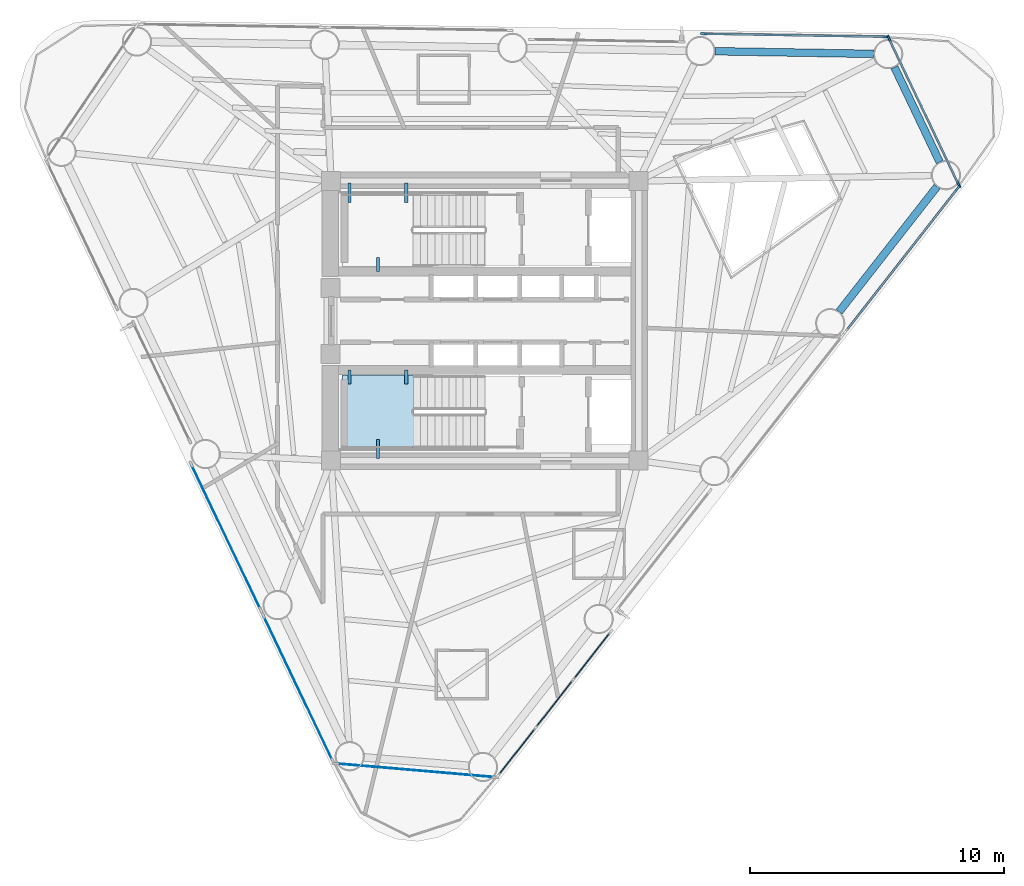
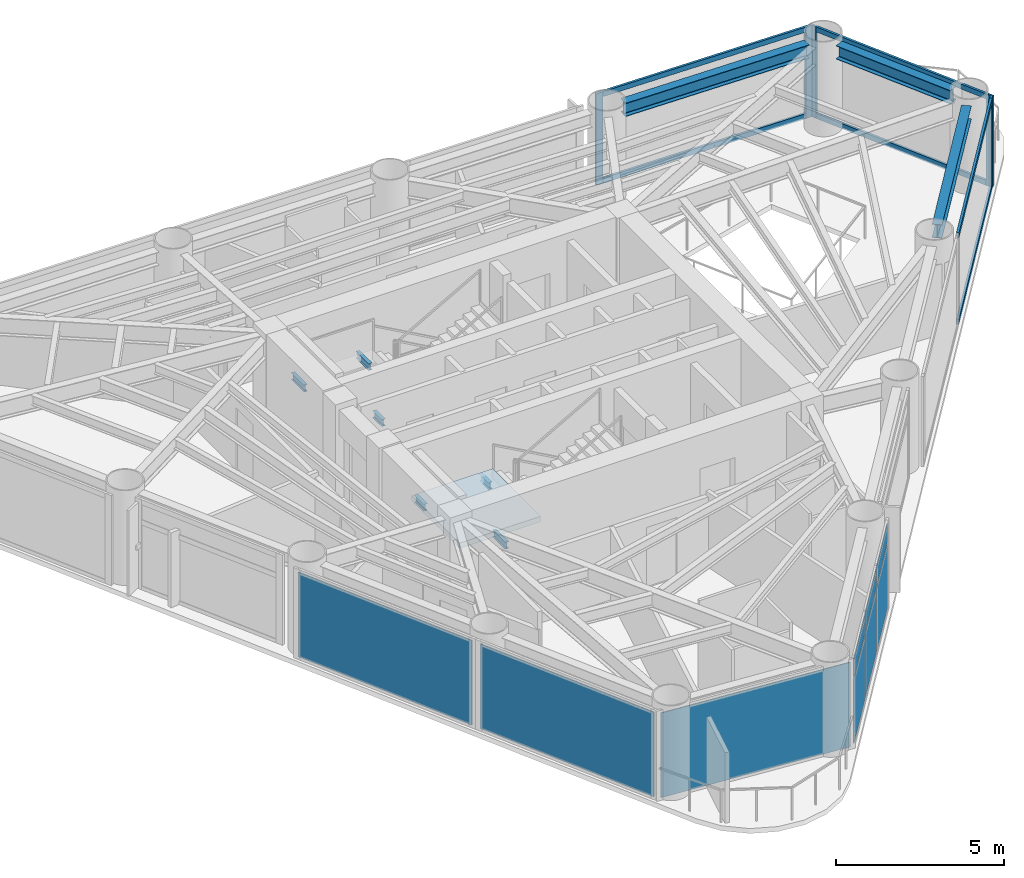
# One storey, part 4 of 10: 11 members, 9 beams, 9 plates, 1 slab, 8 elements without a shape of their own.
"""IFC4 building model written with IfcOpenShell, lengths in metres."""

import ifcopenshell
import ifcopenshell.guid

model = None  # the IFC model being written
_history = None  # IfcOwnerHistory: only IFC2X3 demands one
_inside = {}  # id of a spatial element -> (the spatial element, [elements in it])
_under = {}  # id of a project, library or spatial element -> (it, [spatial elements below it])
_declared = {}  # id of a project -> (the project, [libraries it declares])
_typed = {}  # id of a type object -> (the type object, [elements of that type])
_made_of = {}  # id of a material, layer set ... -> (it, [elements and type objects made of it])


def new_model(schema):
    """Start an empty IFC model of exactly this schema.

    Asked for "IFC4X3", IfcOpenShell would pick the latest addendum, in which some entities
    have other attributes; the version numbers below select the first issue.
    IFC2X3 requires an IfcOwnerHistory on every rooted entity: one is made here for all.
    """
    global model, _history
    if schema == "IFC4X3":
        model = ifcopenshell.file(schema_version=(4, 3, 0, 0))
    else:
        model = ifcopenshell.file(schema=schema)
    _inside.clear()
    _under.clear()
    _declared.clear()
    _typed.clear()
    _made_of.clear()
    _history = None
    if model.schema == "IFC2X3":
        org = make("IfcOrganization", Name="unknown")
        user = make(
            "IfcPersonAndOrganization",
            ThePerson=make("IfcPerson", FamilyName="unknown"),
            TheOrganization=org,
        )
        app = make(
            "IfcApplication",
            ApplicationDeveloper=org,
            Version="unknown",
            ApplicationFullName="unknown",
            ApplicationIdentifier="unknown",
        )
        _history = make(
            "IfcOwnerHistory",
            OwningUser=user,
            OwningApplication=app,
            ChangeAction="ADDED",
            CreationDate=0,
        )
    return model


def make(cls, **values):
    """One entity of the class cls with the attributes given. An attribute that is None is left unset."""
    return model.create_entity(
        cls, **{name: value for name, value in values.items() if value is not None}
    )


def rooted(cls, **values):
    """An entity with a GlobalId (a new one), such as an element, a storey or a relation."""
    return make(cls, GlobalId=ifcopenshell.guid.new(), OwnerHistory=_history, **values)


def si_unit(unit_type, name, prefix=None):
    """IfcSIUnit, for example si_unit("LENGTHUNIT", "METRE", prefix="MILLI")."""
    return make("IfcSIUnit", UnitType=unit_type, Prefix=prefix, Name=name)


def assignment(units):
    """IfcUnitAssignment: the units of a project."""
    return None if units is None else make("IfcUnitAssignment", Units=units)


def point(xyz):
    """IfcCartesianPoint."""
    return None if xyz is None else make("IfcCartesianPoint", Coordinates=xyz)


def direction(xyz):
    """IfcDirection."""
    return None if xyz is None else make("IfcDirection", DirectionRatios=xyz)


def frame(location, z_axis=None, x_axis=None):
    """IfcAxis2Placement3D, a coordinate frame: its origin and axes. An axis left out is left unset."""
    return make(
        "IfcAxis2Placement3D",
        Location=point(location),
        Axis=direction(z_axis),
        RefDirection=direction(x_axis),
    )


def frame_2d(location, x_axis=None):
    """IfcAxis2Placement2D, a coordinate frame in the plane: its origin and x axis."""
    return make(
        "IfcAxis2Placement2D", Location=point(location), RefDirection=direction(x_axis)
    )


def origin():
    """The frame at (0, 0, 0) with its axes left unset."""
    return frame((0.0, 0.0, 0.0))


def origin_2d():
    """The frame at (0, 0) in the plane with its x axis left unset."""
    return frame_2d((0.0, 0.0))


def place(relative_to, where):
    """IfcLocalPlacement: puts the frame where relative to a parent placement (None: the world)."""
    return make(
        "IfcLocalPlacement", PlacementRelTo=relative_to, RelativePlacement=where
    )


def context(
    kind, dimensions, precision=None, world=None, true_north=None, identifier=None
):
    """IfcGeometricRepresentationContext, for example the 3D "Model" context."""
    return make(
        "IfcGeometricRepresentationContext",
        ContextIdentifier=identifier,
        ContextType=kind,
        CoordinateSpaceDimension=dimensions,
        Precision=precision,
        WorldCoordinateSystem=world,
        TrueNorth=true_north,
    )


def subcontext(parent, identifier, kind, view, scale=None):
    """IfcGeometricRepresentationSubContext, for example "Body" below "Model"."""
    return make(
        "IfcGeometricRepresentationSubContext",
        ContextIdentifier=identifier,
        ContextType=kind,
        ParentContext=parent,
        TargetScale=scale,
        TargetView=view,
    )


def project(units=None, contexts=None):
    """IfcProject with its units and contexts."""
    return rooted(
        "IfcProject",
        Name="project",
        RepresentationContexts=contexts,
        UnitsInContext=assignment(units),
    )


def spatial(cls, under=None, at=None, **own):
    """A site, building, storey or space (cls), placed at a placement, below another one or the project."""
    s = rooted(cls, ObjectPlacement=at, **own)
    if under is not None:
        _under.setdefault(under.id(), (under, []))[1].append(s)
    return s


def polyline(points):
    """IfcPolyline through the points."""
    return make("IfcPolyline", Points=[point(p) for p in points])


def profile(cls, at=None, kind="AREA", **sizes):
    """A parametric profile (cls). Its sizes go by their IFC names, for example OverallWidth=200.0."""
    return make(cls, ProfileType=kind, Position=at, **sizes)


def rectangle(**sizes):
    """IfcRectangleProfileDef."""
    return profile("IfcRectangleProfileDef", **sizes)


def i_section(**sizes):
    """IfcIShapeProfileDef."""
    return profile("IfcIShapeProfileDef", **sizes)


def outline(outer, holes=None, kind="AREA"):
    """IfcArbitraryClosedProfileDef: a profile drawn as a closed curve; with holes, ...WithVoids."""
    if holes is None:
        return make("IfcArbitraryClosedProfileDef", ProfileType=kind, OuterCurve=outer)
    return make(
        "IfcArbitraryProfileDefWithVoids",
        ProfileType=kind,
        OuterCurve=outer,
        InnerCurves=holes,
    )


def extrude(swept, where, along, depth):
    """IfcExtrudedAreaSolid: the profile swept, set in the frame where, extruded along a direction by depth."""
    return make(
        "IfcExtrudedAreaSolid",
        SweptArea=swept,
        Position=where,
        ExtrudedDirection=direction(along),
        Depth=depth,
    )


def shape(context_of_items, identifier, shape_type, items):
    """IfcShapeRepresentation: the items that make up one representation, for example the "Body"."""
    return make(
        "IfcShapeRepresentation",
        ContextOfItems=context_of_items,
        RepresentationIdentifier=identifier,
        RepresentationType=shape_type,
        Items=items,
    )


def source(mapping_origin, context_of_items, identifier, shape_type, items):
    """IfcRepresentationMap: a shape defined once, which mapped items show again and again."""
    return make(
        "IfcRepresentationMap",
        MappingOrigin=mapping_origin,
        MappedRepresentation=shape(context_of_items, identifier, shape_type, items),
    )


def transform(
    local_origin,
    x_axis=None,
    y_axis=None,
    z_axis=None,
    scale=None,
    scale2=None,
    scale3=None,
    uniform=True,
):
    """IfcCartesianTransformationOperator3D, or its non-uniform kind. x_axis, y_axis, z_axis: its Axis1, 2, 3."""
    if uniform:
        return make(
            "IfcCartesianTransformationOperator3D",
            Axis1=direction(x_axis),
            Axis2=direction(y_axis),
            LocalOrigin=point(local_origin),
            Scale=scale,
            Axis3=direction(z_axis),
        )
    return make(
        "IfcCartesianTransformationOperator3DnonUniform",
        Axis1=direction(x_axis),
        Axis2=direction(y_axis),
        LocalOrigin=point(local_origin),
        Scale=scale,
        Axis3=direction(z_axis),
        Scale2=scale2,
        Scale3=scale3,
    )


def mapped(mapping_source, mapping_target):
    """IfcMappedItem: shows the shape of a source again, moved by a transform."""
    return make(
        "IfcMappedItem", MappingSource=mapping_source, MappingTarget=mapping_target
    )


def material(Name=None, Category=None):
    """IfcMaterial."""
    return make("IfcMaterial", Name=Name, Category=Category)


def layer(
    of_material, thickness, ventilated=None, Name=None, Category=None, Priority=None
):
    """IfcMaterialLayer: one layer of a wall or slab, of a material (None: an air gap)."""
    return make(
        "IfcMaterialLayer",
        Material=of_material,
        LayerThickness=thickness,
        IsVentilated=ventilated,
        Name=Name,
        Category=Category,
        Priority=Priority,
    )


def layer_set(layers, Name=None):
    """IfcMaterialLayerSet."""
    return make("IfcMaterialLayerSet", MaterialLayers=layers, LayerSetName=Name)


def material_profile(
    of_material, cross_section, Name=None, Category=None, Priority=None
):
    """IfcMaterialProfile: a cross section and its material."""
    return make(
        "IfcMaterialProfile",
        Name=Name,
        Material=of_material,
        Profile=cross_section,
        Priority=Priority,
        Category=Category,
    )


def profile_set(profiles, Name=None, composite=None):
    """IfcMaterialProfileSet."""
    return make(
        "IfcMaterialProfileSet",
        Name=Name,
        MaterialProfiles=profiles,
        CompositeProfile=composite,
    )


def made_of(thing, what):
    """Note that an element or type object is made of a material, layer set ...; save() writes the relation."""
    if what is not None:
        _made_of.setdefault(what.id(), (what, []))[1].append(thing)
    return thing


def type_object(cls, material=None, **own):
    """A type object (cls), such as IfcWallType, which elements share."""
    return made_of(rooted(cls, **own), material)


def element(
    cls,
    number,
    at=None,
    inside=None,
    cuts=None,
    type_object=None,
    material=None,
    context=None,
    identifier="Body",
    shape_type=None,
    held_by="IfcProductDefinitionShape",
    body=None,
    shapes=None,
    **own,
):
    """One element of the class cls, such as IfcWall. Its Tag is "e" and its number.

    at: its placement. inside: the storey or other place that contains it. cuts: it is an
    opening in that element (IfcRelVoidsElement). A single representation is given by context,
    identifier, shape_type and body (its items); several are given by shapes. held_by: the class
    of the entity that holds the representations. save() writes the other relations.
    """
    e = rooted(cls, Tag="e%d" % number, ObjectPlacement=at, **own)
    if body is not None:
        shapes = [shape(context, identifier, shape_type, body)]
    if shapes is not None:
        e.Representation = make(held_by, Representations=shapes)
    if inside is not None:
        _inside.setdefault(inside.id(), (inside, []))[1].append(e)
    if cuts is not None:
        rooted(
            "IfcRelVoidsElement", RelatingBuildingElement=cuts, RelatedOpeningElement=e
        )
    if type_object is not None:
        _typed.setdefault(type_object.id(), (type_object, []))[1].append(e)
    return made_of(e, material)


def aggregate(whole, parts):
    """IfcRelAggregates: a whole, such as a stair, and the parts it consists of."""
    return rooted("IfcRelAggregates", RelatingObject=whole, RelatedObjects=parts)


def save(model, path):
    """Write the relations noted so far, then the file.

    IfcRelAggregates (storeys below a building ...), IfcRelContainedInSpatialStructure (elements
    in a storey), IfcRelDefinesByType, IfcRelAssociatesMaterial and IfcRelDeclares: one each for
    every whole, place, type object, material and project.
    """
    for whole, parts in _under.values():
        aggregate(whole, parts)
    for where, things in _inside.values():
        rooted(
            "IfcRelContainedInSpatialStructure",
            RelatedElements=things,
            RelatingStructure=where,
        )
    for kind, things in _typed.values():
        rooted("IfcRelDefinesByType", RelatedObjects=things, RelatingType=kind)
    for what, things in _made_of.values():
        rooted("IfcRelAssociatesMaterial", RelatedObjects=things, RelatingMaterial=what)
    for by, libraries in _declared.values():
        rooted("IfcRelDeclares", RelatingContext=by, RelatedDefinitions=libraries)
    model.write(path)


model = new_model("IFC4")

# Units and contexts
model_context = context("Model", 3, precision=1e-05, world=origin(), true_north=direction((0.0, 1.0)))
body_context = subcontext(model_context, "Body", "Model", "MODEL_VIEW")
ifc_project = project(units=[si_unit("LENGTHUNIT", "METRE"), si_unit("AREAUNIT", "SQUARE_METRE"), si_unit("VOLUMEUNIT", "CUBIC_METRE"), si_unit("PLANEANGLEUNIT", "RADIAN"), si_unit("MASSUNIT", "GRAM", prefix="KILO")], contexts=[model_context])

# Site, building, storey
site_placement = place(None, origin())
site = spatial("IfcSite", under=ifc_project, at=site_placement, CompositionType="ELEMENT")
building_placement = place(site_placement, origin())
building = spatial("IfcBuilding", under=site, at=building_placement, Name="Yunling Apex Tower", CompositionType="ELEMENT")
storey_placement = place(building_placement, frame((0.0, 0.0, 215.60009765625)))
storey = spatial("IfcBuildingStorey", under=building, at=storey_placement, Name="L53", CompositionType="ELEMENT", Elevation=215.60009765625)

# Beams
ifc_material_1 = material(Name="Steel Q355B", Category="steel")
ifc_material_profile_1 = material_profile(ifc_material_1, i_section(OverallWidth=0.125, OverallDepth=0.25, WebThickness=0.006103515625, FlangeThickness=0.009033203125, FilletRadius=0.011962890625, at=origin_2d()))
ifc_profile_set_1 = profile_set([ifc_material_profile_1], Name="Steel Q355B")
beam_type_1 = type_object("IfcBeamType", Name="BL-LNT-1", PredefinedType="LINTEL", material=ifc_profile_set_1)
shared_shape_1 = source(origin(), body_context, "Body", "SweptSolid", [
    extrude(i_section(OverallWidth=0.125, OverallDepth=0.25, WebThickness=0.006103515625, FlangeThickness=0.009033203125, FilletRadius=0.011962890625, at=origin_2d()), origin(), (0.0, 0.0, 1.0), 0.760009765625),
])
for number, where, z_axis, x_axis, name in (
    (1, (-5.320068359375, 5.419921875, 1.40478515625), (0.0, -1.0, 0.0), (1.0, 0.0, 0.0), "L53 ST-1 Landing Bearing Corbel 1-1"),
    (2, (-3.090087890625, 5.419921875, 1.40478515625), (0.0, -1.0, 0.0), (1.0, 0.0, 0.0), "L53 ST-1 Landing Bearing Corbel 1-2"),
    (3, (-4.205078125, -5.419921875, 1.40478515625), (0.0, 1.0, 0.0), (-1.0, 0.0, 0.0), "L53 ST-2 Landing Bearing Corbel 1-3"),
):
    element("IfcBeam", number, at=place(storey_placement, frame(where, z_axis=z_axis, x_axis=x_axis)), inside=storey, type_object=beam_type_1, Name=name, PredefinedType="LINTEL", context=body_context, shape_type="MappedRepresentation", body=[
        mapped(shared_shape_1, transform((0.0, 0.0, 0.0), scale=1.0)),
    ])
shared_shape_2 = source(origin(), body_context, "Body", "SweptSolid", [
    extrude(i_section(OverallWidth=0.125, OverallDepth=0.25, WebThickness=0.006103515625, FlangeThickness=0.009033203125, FilletRadius=0.011962890625, at=origin_2d()), origin(), (0.0, 0.0, 1.0), 0.550048828125),
])
for number, where, z_axis, x_axis, name in (
    (4, (-4.205078125, 1.93994140625, 1.40478515625), (0.0, 1.0, 0.0), (-1.0, 0.0, 0.0), "L53 ST-1 Landing Bearing Corbel 1-3"),
    (5, (-5.320068359375, -1.93994140625, 1.40478515625), (0.0, -1.0, 0.0), (1.0, 0.0, 0.0), "L53 ST-2 Landing Bearing Corbel 1-1"),
    (6, (-3.090087890625, -1.93994140625, 1.40478515625), (0.0, -1.0, 0.0), (1.0, 0.0, 0.0), "L53 ST-2 Landing Bearing Corbel 1-2"),
):
    element("IfcBeam", number, at=place(storey_placement, frame(where, z_axis=z_axis, x_axis=x_axis)), inside=storey, type_object=beam_type_1, Name=name, PredefinedType="LINTEL", context=body_context, shape_type="MappedRepresentation", body=[
        mapped(shared_shape_2, transform((0.0, 0.0, 0.0), scale=1.0)),
    ])
ifc_material_profile_2 = material_profile(ifc_material_1, i_section(OverallWidth=0.300048828125, OverallDepth=0.489990234375, WebThickness=0.010986328125, FlangeThickness=0.01806640625, FilletRadius=0.02197265625, at=origin_2d()))
ifc_profile_set_2 = profile_set([ifc_material_profile_2], Name="Steel Q355B")
beam_type_2 = type_object("IfcBeamType", Name="BP-SPN-2", PredefinedType="SPANDREL", material=ifc_profile_set_2)
shared_shape_3 = source(origin(), body_context, "Body", "SweptSolid", [
    extrude(i_section(OverallWidth=0.300048828125, OverallDepth=0.489990234375, WebThickness=0.010986328125, FlangeThickness=0.01806640625, FilletRadius=0.02197265625, at=origin_2d()), origin(), (0.0, 0.0, 1.0), 6.252685546875),
])
beam_1_placement = place(storey_placement, frame((13.940185546875, 0.35791015625, 2.98486328125), z_axis=(0.616211399259, 0.787580796759, 0.0), x_axis=(-0.787580796759, 0.616211399259, 0.0)))
element("IfcBeam", 7, at=beam_1_placement, inside=storey, type_object=beam_type_2, Name="L53 Perimeter Spandrel Beam 4", PredefinedType="SPANDREL", context=body_context, shape_type="MappedRepresentation", body=[
    mapped(shared_shape_3, transform((0.0, 0.0, 0.0), scale=1.0)),
])
shared_shape_4 = source(origin(), body_context, "Body", "SweptSolid", [
    extrude(i_section(OverallWidth=0.300048828125, OverallDepth=0.489990234375, WebThickness=0.010986328125, FlangeThickness=0.01806640625, FilletRadius=0.02197265625, at=origin_2d()), origin(), (0.0, 0.0, 1.0), 6.253173828125),
])
beam_2_placement = place(storey_placement, frame((15.302978515625, 10.50341796875, 2.98486328125), z_axis=(-0.999859061432, 0.016788605428, 0.0), x_axis=(-0.016788605428, -0.999859061432, 0.0)))
element("IfcBeam", 8, at=beam_2_placement, inside=storey, type_object=beam_type_2, Name="L53 Perimeter Spandrel Beam 6", PredefinedType="SPANDREL", context=body_context, shape_type="MappedRepresentation", body=[
    mapped(shared_shape_4, transform((0.0, 0.0, 0.0), scale=1.0)),
])
shared_shape_5 = source(origin(), body_context, "Body", "SweptSolid", [
    extrude(i_section(OverallWidth=0.300048828125, OverallDepth=0.489990234375, WebThickness=0.010986328125, FlangeThickness=0.01806640625, FilletRadius=0.02197265625, at=origin_2d()), origin(), (0.0, 0.0, 1.0), 4.139404296875),
])
beam_3_placement = place(storey_placement, frame((17.898681640625, 6.244140625, 2.98486328125), z_axis=(-0.430503573335, 0.902588872824, 0.0), x_axis=(-0.902588872824, -0.430503573335, 0.0)))
element("IfcBeam", 9, at=beam_3_placement, inside=storey, type_object=beam_type_2, Name="L53 Perimeter Spandrel Beam 5", PredefinedType="SPANDREL", context=body_context, shape_type="MappedRepresentation", body=[
    mapped(shared_shape_5, transform((0.0, 0.0, 0.0), scale=1.0)),
])

# Curtain wall, member
ifc_material_2 = material(Name="Bronze anodised aluminium", Category="aluminium")
ifc_layer_1 = layer(ifc_material_2, 0.239990234375)
ifc_layer_set_1 = layer_set([ifc_layer_1], Name="Bronze anodised aluminium")
curtain_wall_type = type_object("IfcCurtainWallType", Name="CW-SYS-3", PredefinedType="NOTDEFINED", material=ifc_layer_set_1)
curtain_wall_1_placement = place(storey_placement, origin())
curtain_wall_1 = element("IfcCurtainWall", 10, at=curtain_wall_1_placement, inside=storey, type_object=curtain_wall_type, Name="CW-L53-F1-B4", PredefinedType="NOTDEFINED")
ifc_material_profile_3 = material_profile(ifc_material_2, rectangle(XDim=0.080078125, YDim=0.239990234375, at=origin_2d()))
ifc_profile_set_3 = profile_set([ifc_material_profile_3], Name="Bronze anodised aluminium")
member_type_1 = type_object("IfcMemberType", Name="CW-MUL-3", PredefinedType="MULLION", material=ifc_profile_set_3)
shared_shape_6 = source(origin(), body_context, "Body", "SweptSolid", [
    extrude(rectangle(XDim=0.080078125, YDim=0.239990234375, at=origin_2d()), origin(), (0.0, 0.0, 1.0), 3.329833984375),
])
member_1_placement = place(storey_placement, frame((18.60546875, 5.21728515625, -0.050048828125), z_axis=(0.0, 0.0, 1.0), x_axis=(-0.787589332433, 0.616200489644, 0.0)))
member_1 = element("IfcMember", 11, at=member_1_placement, type_object=member_type_1, Name="CW-SYS-3 mullion 2", PredefinedType="MULLION", context=body_context, shape_type="MappedRepresentation", body=[
    mapped(shared_shape_6, transform((0.0, 0.0, 0.0), scale=1.0)),
])

# Curtain wall, members
curtain_wall_2_placement = place(storey_placement, origin())
curtain_wall_2 = element("IfcCurtainWall", 12, at=curtain_wall_2_placement, inside=storey, type_object=curtain_wall_type, Name="CW-L53-CRN1", PredefinedType="NOTDEFINED")
member_2_placement = place(storey_placement, frame((18.646484375, 5.360107421875, -0.050048828125), z_axis=(0.0, 0.0, 1.0), x_axis=(-0.902577581426, -0.430527245951, 0.0)))
member_2 = element("IfcMember", 13, at=member_2_placement, type_object=member_type_1, Name="CW-SYS-3 mullion 1", PredefinedType="MULLION", context=body_context, shape_type="MappedRepresentation", body=[
    mapped(shared_shape_6, transform((0.0, 0.0, 0.0), scale=1.0)),
])
member_3_placement = place(storey_placement, frame((15.89990234375, 11.11767578125, -0.050048828125), z_axis=(0.0, 0.0, 1.0), x_axis=(-0.902577581426, -0.430527245951, 0.0)))
member_3 = element("IfcMember", 14, at=member_3_placement, type_object=member_type_1, Name="CW-SYS-3 mullion 2", PredefinedType="MULLION", context=body_context, shape_type="MappedRepresentation", body=[
    mapped(shared_shape_6, transform((0.0, 0.0, 0.0), scale=1.0)),
])

curtain_wall_3_placement = place(storey_placement, origin())
curtain_wall_3 = element("IfcCurtainWall", 15, at=curtain_wall_3_placement, inside=storey, type_object=curtain_wall_type, Name="CW-L53-F2-B1", PredefinedType="NOTDEFINED")
member_4_placement = place(storey_placement, frame((15.76318359375, 11.17578125, -0.050048828125), z_axis=(0.0, 0.0, 1.0), x_axis=(-0.016761362354, -0.999859518498, 0.0)))
member_4 = element("IfcMember", 16, at=member_4_placement, type_object=member_type_1, Name="CW-SYS-3 mullion 1", PredefinedType="MULLION", context=body_context, shape_type="MappedRepresentation", body=[
    mapped(shared_shape_6, transform((0.0, 0.0, 0.0), scale=1.0)),
])
member_5_placement = place(storey_placement, frame((8.61328125, 11.295654296875, -0.050048828125), z_axis=(0.0, 0.0, 1.0), x_axis=(-0.016761362354, -0.999859518498, 0.0)))
member_5 = element("IfcMember", 17, at=member_5_placement, type_object=member_type_1, Name="CW-SYS-3 mullion 2", PredefinedType="MULLION", context=body_context, shape_type="MappedRepresentation", body=[
    mapped(shared_shape_6, transform((0.0, 0.0, 0.0), scale=1.0)),
])

# Member
ifc_material_profile_4 = material_profile(ifc_material_2, rectangle(XDim=0.080078125, YDim=0.18505859375, at=origin_2d()))
ifc_profile_set_4 = profile_set([ifc_material_profile_4], Name="Bronze anodised aluminium")
member_type_2 = type_object("IfcMemberType", Name="CW-TRN-3", PredefinedType="USERDEFINED", material=ifc_profile_set_4)
shared_shape_7 = source(origin(), body_context, "Body", "SweptSolid", [
    extrude(rectangle(XDim=0.080078125, YDim=0.18505859375, at=origin_2d()), origin(), (0.0, 0.0, 1.0), 7.0791015625),
])
member_6_placement = place(storey_placement, frame((14.22119140625, -0.386474609375, 0.039794921875), z_axis=(0.616192015574, 0.78759596237, 0.0), x_axis=(-0.78759596237, 0.616192015574, 0.0)))
member_6 = element("IfcMember", 18, at=member_6_placement, type_object=member_type_2, Name="CW-SYS-3 transom 1.1", ObjectType="TRANSOM", PredefinedType="USERDEFINED", context=body_context, shape_type="MappedRepresentation", body=[
    mapped(shared_shape_7, transform((0.0, 0.0, 0.0), scale=1.0)),
])

member_7_placement = place(storey_placement, frame((14.22119140625, -0.386474609375, 3.18994140625), z_axis=(0.616192015574, 0.78759596237, 0.0), x_axis=(-0.78759596237, 0.616192015574, 0.0)))
member_7 = element("IfcMember", 19, at=member_7_placement, type_object=member_type_2, Name="CW-SYS-3 transom 1.2", ObjectType="TRANSOM", PredefinedType="USERDEFINED", context=body_context, shape_type="MappedRepresentation", body=[
    mapped(shared_shape_7, transform((0.0, 0.0, 0.0), scale=1.0)),
])

aggregate(curtain_wall_1, [member_1, member_6, member_7])

member_8_placement = place(storey_placement, frame((15.727294921875, 11.176513671875, 0.039794921875), z_axis=(-0.999859526413, 0.01676089024, 0.0), x_axis=(-0.01676089024, -0.999859526413, 0.0)))
member_8 = element("IfcMember", 20, at=member_8_placement, type_object=member_type_2, Name="CW-SYS-3 transom 1.1", ObjectType="TRANSOM", PredefinedType="USERDEFINED", context=body_context, shape_type="MappedRepresentation", body=[
    mapped(shared_shape_7, transform((0.0, 0.0, 0.0), scale=1.0)),
])

member_9_placement = place(storey_placement, frame((15.727294921875, 11.176513671875, 3.18994140625), z_axis=(-0.999859526413, 0.01676089024, 0.0), x_axis=(-0.01676089024, -0.999859526413, 0.0)))
member_9 = element("IfcMember", 21, at=member_9_placement, type_object=member_type_2, Name="CW-SYS-3 transom 1.2", ObjectType="TRANSOM", PredefinedType="USERDEFINED", context=body_context, shape_type="MappedRepresentation", body=[
    mapped(shared_shape_7, transform((0.0, 0.0, 0.0), scale=1.0)),
])

aggregate(curtain_wall_3, [member_4, member_5, member_8, member_9])

shared_shape_8 = source(origin(), body_context, "Body", "SweptSolid", [
    extrude(rectangle(XDim=0.080078125, YDim=0.18505859375, at=origin_2d()), origin(), (0.0, 0.0, 1.0), 6.30712890625),
])
member_10_placement = place(storey_placement, frame((18.630859375, 5.392578125, 0.039794921875), z_axis=(-0.430522496716, 0.902579846784, 0.0), x_axis=(-0.902579846784, -0.430522496716, 0.0)))
member_10 = element("IfcMember", 22, at=member_10_placement, type_object=member_type_2, Name="CW-SYS-3 transom 1.1", ObjectType="TRANSOM", PredefinedType="USERDEFINED", context=body_context, shape_type="MappedRepresentation", body=[
    mapped(shared_shape_8, transform((0.0, 0.0, 0.0), scale=1.0)),
])

member_11_placement = place(storey_placement, frame((18.630859375, 5.392578125, 3.18994140625), z_axis=(-0.430522496716, 0.902579846784, 0.0), x_axis=(-0.902579846784, -0.430522496716, 0.0)))
member_11 = element("IfcMember", 23, at=member_11_placement, type_object=member_type_2, Name="CW-SYS-3 transom 1.2", ObjectType="TRANSOM", PredefinedType="USERDEFINED", context=body_context, shape_type="MappedRepresentation", body=[
    mapped(shared_shape_8, transform((0.0, 0.0, 0.0), scale=1.0)),
])

aggregate(curtain_wall_2, [member_2, member_3, member_10, member_11])

# Stair, slab
ifc_material_3 = material(Name="Concrete C40", Category="concrete")
stair_type = type_object("IfcStairType", Name="ST-TWR-2", PredefinedType="HALF_TURN_STAIR", material=ifc_material_3)
stair_placement = place(storey_placement, origin())
stair = element("IfcStair", 24, at=stair_placement, inside=storey, type_object=stair_type, Name="L53 South Core Smokeproof Exit Stair ST-2", PredefinedType="HALF_TURN_STAIR")
ifc_layer_2 = layer(ifc_material_3, 0.195068359375)
ifc_layer_set_2 = layer_set([ifc_layer_2], Name="Concrete C40")
slab_type = type_object("IfcSlabType", Name="SL-LND-1", PredefinedType="LANDING", material=ifc_layer_set_2)
slab_placement = place(storey_placement, frame((0.0, 0.0, 1.52978515625)))
slab = element("IfcSlab", 25, at=slab_placement, type_object=slab_type, Name="ST-2 landing 1", PredefinedType="LANDING", context=body_context, shape_type="SweptSolid", body=[
    extrude(outline(polyline([(-2.81005859375, -2.139892578125), (-5.60009765625, -2.139892578125), (-5.60009765625, -5.010009765625), (-2.81005859375, -5.010009765625), (-2.81005859375, -2.139892578125)])), origin(), (0.0, 0.0, 1.0), 0.195068359375),
])
aggregate(stair, [slab])

# Curtain wall, plates
curtain_wall_4_placement = place(storey_placement, origin())
curtain_wall_4 = element("IfcCurtainWall", 26, at=curtain_wall_4_placement, inside=storey, type_object=curtain_wall_type, Name="CW-L53-F1-B1", PredefinedType="NOTDEFINED")
ifc_material_4 = material(Name="Bronze tinted low-E glass", Category="glass")
ifc_layer_3 = layer(ifc_material_4, 0.031982421875)
ifc_layer_set_3 = layer_set([ifc_layer_3], Name="Bronze tinted low-E glass")
plate_type = type_object("IfcPlateType", Name="CW-PNL-3", PredefinedType="CURTAIN_PANEL", material=ifc_layer_set_3)
shared_shape_9 = source(origin(), body_context, "Body", "SweptSolid", [
    extrude(rectangle(XDim=2.306396484375, YDim=0.031982421875, at=origin_2d()), origin(), (0.0, 0.0, 1.0), 2.350830078125),
])
plate_1_placement = place(storey_placement, frame((1.266357421875, -16.9443359375, 0.07177734375), z_axis=(0.0, 0.0, 1.0), x_axis=(0.616200489644, 0.787589332433, 0.0)))
plate_1 = element("IfcPlate", 27, at=plate_1_placement, type_object=plate_type, Name="CW-SYS-3 panel 1.1", PredefinedType="CURTAIN_PANEL", context=body_context, shape_type="MappedRepresentation", body=[
    mapped(shared_shape_9, transform((0.0, 0.0, 0.0), scale=1.0)),
])
plate_2_placement = place(storey_placement, frame((4.212158203125, -13.17919921875, 0.07177734375), z_axis=(0.0, 0.0, 1.0), x_axis=(0.616200489644, 0.787589332433, 0.0)))
plate_2 = element("IfcPlate", 28, at=plate_2_placement, type_object=plate_type, Name="CW-SYS-3 panel 3.1", PredefinedType="CURTAIN_PANEL", context=body_context, shape_type="MappedRepresentation", body=[
    mapped(shared_shape_9, transform((0.0, 0.0, 0.0), scale=1.0)),
])
shared_shape_10 = source(origin(), body_context, "Body", "SweptSolid", [
    extrude(rectangle(XDim=2.306396484375, YDim=0.031982421875, at=origin_2d()), origin(), (0.0, 0.0, 1.0), 0.671142578125),
])
plate_3_placement = place(storey_placement, frame((1.266357421875, -16.9443359375, 2.48681640625), z_axis=(0.0, 0.0, 1.0), x_axis=(0.616200489644, 0.787589332433, 0.0)))
plate_3 = element("IfcPlate", 29, at=plate_3_placement, type_object=plate_type, Name="CW-SYS-3 panel 1.2", PredefinedType="CURTAIN_PANEL", context=body_context, shape_type="MappedRepresentation", body=[
    mapped(shared_shape_10, transform((0.0, 0.0, 0.0), scale=1.0)),
])
plate_4_placement = place(storey_placement, frame((4.212158203125, -13.17919921875, 2.48681640625), z_axis=(0.0, 0.0, 1.0), x_axis=(0.616200489644, 0.787589332433, 0.0)))
plate_4 = element("IfcPlate", 30, at=plate_4_placement, type_object=plate_type, Name="CW-SYS-3 panel 3.2", PredefinedType="CURTAIN_PANEL", context=body_context, shape_type="MappedRepresentation", body=[
    mapped(shared_shape_10, transform((0.0, 0.0, 0.0), scale=1.0)),
])
shared_shape_11 = source(origin(), body_context, "Body", "SweptSolid", [
    extrude(rectangle(XDim=2.34619140625, YDim=0.031982421875, at=origin_2d()), origin(), (0.0, 0.0, 1.0), 2.350830078125),
])
plate_5_placement = place(storey_placement, frame((2.7392578125, -15.061767578125, 0.07177734375), z_axis=(0.0, 0.0, 1.0), x_axis=(0.616200489644, 0.787589332433, 0.0)))
plate_5 = element("IfcPlate", 31, at=plate_5_placement, type_object=plate_type, Name="CW-SYS-3 panel 2.1", PredefinedType="CURTAIN_PANEL", context=body_context, shape_type="MappedRepresentation", body=[
    mapped(shared_shape_11, transform((0.0, 0.0, 0.0), scale=1.0)),
])
shared_shape_12 = source(origin(), body_context, "Body", "SweptSolid", [
    extrude(rectangle(XDim=2.34619140625, YDim=0.031982421875, at=origin_2d()), origin(), (0.0, 0.0, 1.0), 0.671142578125),
])
plate_6_placement = place(storey_placement, frame((2.7392578125, -15.061767578125, 2.48681640625), z_axis=(0.0, 0.0, 1.0), x_axis=(0.616200489644, 0.787589332433, 0.0)))
plate_6 = element("IfcPlate", 32, at=plate_6_placement, type_object=plate_type, Name="CW-SYS-3 panel 2.2", PredefinedType="CURTAIN_PANEL", context=body_context, shape_type="MappedRepresentation", body=[
    mapped(shared_shape_12, transform((0.0, 0.0, 0.0), scale=1.0)),
])
aggregate(curtain_wall_4, [plate_1, plate_3, plate_5, plate_6, plate_2, plate_4])

# Curtain wall, plate
curtain_wall_5_placement = place(storey_placement, origin())
curtain_wall_5 = element("IfcCurtainWall", 33, at=curtain_wall_5_placement, inside=storey, type_object=curtain_wall_type, Name="CW-L53-CRN3", PredefinedType="NOTDEFINED")
shared_shape_13 = source(origin(), body_context, "Body", "SweptSolid", [
    extrude(rectangle(XDim=6.237060546875, YDim=0.031982421875, at=origin_2d()), origin(), (0.0, 0.0, 1.0), 3.0859375),
])
plate_7_placement = place(storey_placement, frame((-2.732666015625, -17.68701171875, 0.072021484375), z_axis=(0.0, 0.0, 1.0), x_axis=(0.996336698637, -0.085517150026, 0.0)))
plate_7 = element("IfcPlate", 34, at=plate_7_placement, type_object=plate_type, Name="CW-SYS-3 panel 1.1", PredefinedType="CURTAIN_PANEL", context=body_context, shape_type="MappedRepresentation", body=[
    mapped(shared_shape_13, transform((0.0, 0.0, 0.0), scale=1.0)),
])
aggregate(curtain_wall_5, [plate_7])

curtain_wall_6_placement = place(storey_placement, origin())
curtain_wall_6 = element("IfcCurtainWall", 35, at=curtain_wall_6_placement, inside=storey, type_object=curtain_wall_type, Name="CW-L53-F3-B3", PredefinedType="NOTDEFINED")
shared_shape_14 = source(origin(), body_context, "Body", "SweptSolid", [
    extrude(rectangle(XDim=6.282470703125, YDim=0.031982421875, at=origin_2d()), origin(), (0.0, 0.0, 1.0), 3.0859375),
])
plate_8_placement = place(storey_placement, frame((-10.182861328125, -8.505615234375, 0.072021484375), z_axis=(0.0, 0.0, 1.0), x_axis=(0.430504900417, -0.902588239851, 0.0)))
plate_8 = element("IfcPlate", 36, at=plate_8_placement, type_object=plate_type, Name="CW-SYS-3 panel 1.1", PredefinedType="CURTAIN_PANEL", context=body_context, shape_type="MappedRepresentation", body=[
    mapped(shared_shape_14, transform((0.0, 0.0, 0.0), scale=1.0)),
])
aggregate(curtain_wall_6, [plate_8])

curtain_wall_7_placement = place(storey_placement, origin())
curtain_wall_7 = element("IfcCurtainWall", 37, at=curtain_wall_7_placement, inside=storey, type_object=curtain_wall_type, Name="CW-L53-F3-B4", PredefinedType="NOTDEFINED")
plate_9_placement = place(storey_placement, frame((-7.347412109375, -14.450439453125, 0.072021484375), z_axis=(0.0, 0.0, 1.0), x_axis=(0.430517577128, -0.902582193367, 0.0)))
plate_9 = element("IfcPlate", 38, at=plate_9_placement, type_object=plate_type, Name="CW-SYS-3 panel 1.1", PredefinedType="CURTAIN_PANEL", context=body_context, shape_type="MappedRepresentation", body=[
    mapped(shared_shape_14, transform((0.0, 0.0, 0.0), scale=1.0)),
])
aggregate(curtain_wall_7, [plate_9])

save(model, "model.ifc")
